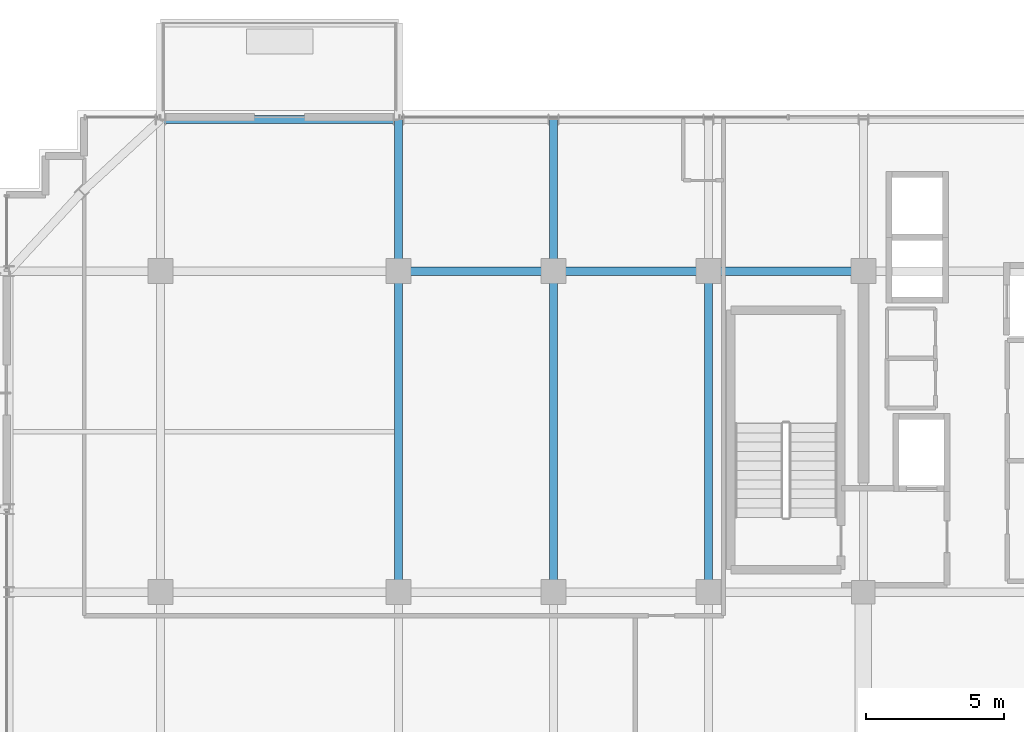
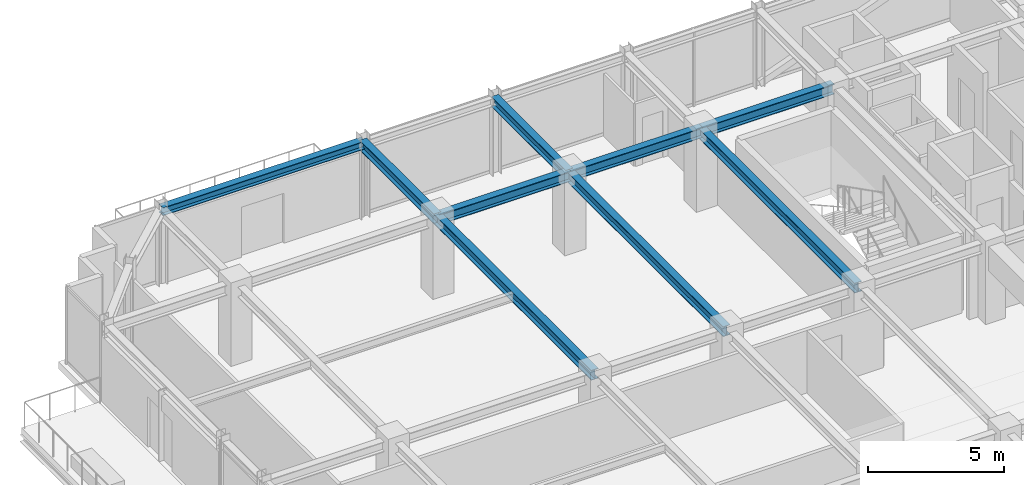
# One storey, part 20 of 34: 9 beams.
"""IFC4 building model written with IfcOpenShell, lengths in metres."""

from ifc_helpers import new_model, si_unit, direction, frame, origin, origin_2d, place, context, subcontext, project, spatial, i_section, extrude, source, transform, mapped, material, material_profile, profile_set, type_object, element, save


model = new_model("IFC4")

# Units and contexts
model_context = context("Model", 3, precision=1e-05, world=origin(), true_north=direction((0.0, 1.0)))
body_context = subcontext(model_context, "Body", "Model", "MODEL_VIEW")
ifc_project = project(units=[si_unit("LENGTHUNIT", "METRE"), si_unit("AREAUNIT", "SQUARE_METRE"), si_unit("VOLUMEUNIT", "CUBIC_METRE"), si_unit("PLANEANGLEUNIT", "RADIAN"), si_unit("MASSUNIT", "GRAM", prefix="KILO")], contexts=[model_context])

# Site, building, storey
site_placement = place(None, origin())
site = spatial("IfcSite", under=ifc_project, at=site_placement, CompositionType="ELEMENT")
building_placement = place(site_placement, origin())
building = spatial("IfcBuilding", under=site, at=building_placement, Name="Nahalor Promenade Grand Hotel", CompositionType="ELEMENT")
storey_placement = place(building_placement, frame((0.0, 0.0, 334.75)))
storey = spatial("IfcBuildingStorey", under=building, at=storey_placement, Name="L86", CompositionType="ELEMENT", Elevation=334.75)

# Beams
ifc_material = material(Name="Steel S355JR", Category="steel")
ifc_material_profile_1 = material_profile(ifc_material, i_section(OverallWidth=0.3, OverallDepth=0.45, WebThickness=0.014, FlangeThickness=0.026, at=origin_2d()), Name="HEB 450")
ifc_profile_set_1 = profile_set([ifc_material_profile_1], Name="Steel S355JR")
beam_type_1 = type_object("IfcBeamType", Name="Beam-Girder-HEB450", PredefinedType="BEAM", material=ifc_profile_set_1)
shared_shape_1 = source(origin(), body_context, "Body", "SweptSolid", [
    extrude(i_section(OverallWidth=0.3, OverallDepth=0.45, WebThickness=0.014, FlangeThickness=0.026, at=origin_2d()), origin(), (0.0, 0.0, 1.0), 5.599853515625),
])
for number, where, z_axis, x_axis, name in (
    (1, (-8.39990234375, 17.0, 3.2451171875), (1.0, 0.0, 0.0), (0.0, 1.0, 0.0), "BM-L86-GX-3-2"),
    (2, (2.800048828125, 17.0, 3.2451171875), (1.0, 0.0, 0.0), (0.0, 1.0, 0.0), "BM-L86-GX-3-4"),
):
    element("IfcBeam", number, at=place(storey_placement, frame(where, z_axis=z_axis, x_axis=x_axis)), inside=storey, type_object=beam_type_1, Name=name, PredefinedType="BEAM", context=body_context, shape_type="MappedRepresentation", body=[
        mapped(shared_shape_1, transform((0.0, 0.0, 0.0), scale=1.0)),
    ])
shared_shape_2 = source(origin(), body_context, "Body", "SweptSolid", [
    extrude(i_section(OverallWidth=0.3, OverallDepth=0.45, WebThickness=0.014, FlangeThickness=0.026, at=origin_2d()), origin(), (0.0, 0.0, 1.0), 5.60009765625),
])
beam_1_placement = place(storey_placement, frame((-2.800048828125, 17.0, 3.2451171875), z_axis=(1.0, 0.0, 0.0), x_axis=(0.0, 1.0, 0.0)))
element("IfcBeam", 3, at=beam_1_placement, inside=storey, type_object=beam_type_1, Name="BM-L86-GX-3-3", PredefinedType="BEAM", context=body_context, shape_type="MappedRepresentation", body=[
    mapped(shared_shape_2, transform((0.0, 0.0, 0.0), scale=1.0)),
])
shared_shape_3 = source(origin(), body_context, "Body", "SweptSolid", [
    extrude(i_section(OverallWidth=0.3, OverallDepth=0.45, WebThickness=0.014, FlangeThickness=0.026, at=origin_2d()), origin(), (0.0, 0.0, 1.0), 11.60009765625),
])
for number, where, z_axis, x_axis, name in (
    (4, (-8.39990234375, 5.39990234375, 3.2451171875), (0.0, 1.0, 0.0), (-1.0, 0.0, 0.0), "BM-L86-GY-1-3"),
    (5, (-2.800048828125, 5.39990234375, 3.2451171875), (0.0, 1.0, 0.0), (-1.0, 0.0, 0.0), "BM-L86-GY-2-3"),
    (6, (2.800048828125, 5.39990234375, 3.2451171875), (0.0, 1.0, 0.0), (-1.0, 0.0, 0.0), "BM-L86-GY-3-3"),
):
    element("IfcBeam", number, at=place(storey_placement, frame(where, z_axis=z_axis, x_axis=x_axis)), inside=storey, type_object=beam_type_1, Name=name, PredefinedType="BEAM", context=body_context, shape_type="MappedRepresentation", body=[
        mapped(shared_shape_3, transform((0.0, 0.0, 0.0), scale=1.0)),
    ])
shared_shape_4 = source(origin(), body_context, "Body", "SweptSolid", [
    extrude(i_section(OverallWidth=0.3, OverallDepth=0.45, WebThickness=0.014, FlangeThickness=0.026, at=origin_2d()), origin(), (0.0, 0.0, 1.0), 5.47998046875),
])
for number, where, z_axis, x_axis, name in (
    (7, (-8.39990234375, 17.0, 3.2451171875), (0.0, 1.0, 0.0), (-1.0, 0.0, 0.0), "BM-L86-GY-1-4"),
    (8, (-2.800048828125, 17.0, 3.2451171875), (0.0, 1.0, 0.0), (-1.0, 0.0, 0.0), "BM-L86-GY-2-4"),
):
    element("IfcBeam", number, at=place(storey_placement, frame(where, z_axis=z_axis, x_axis=x_axis)), inside=storey, type_object=beam_type_1, Name=name, PredefinedType="BEAM", context=body_context, shape_type="MappedRepresentation", body=[
        mapped(shared_shape_4, transform((0.0, 0.0, 0.0), scale=1.0)),
    ])
ifc_material_profile_2 = material_profile(ifc_material, i_section(OverallWidth=0.3, OverallDepth=0.36, WebThickness=0.0125, FlangeThickness=0.0225, at=origin_2d()), Name="HEB 360")
ifc_profile_set_2 = profile_set([ifc_material_profile_2], Name="Steel S355JR")
beam_type_2 = type_object("IfcBeamType", Name="Beam-Spandrel-HEB360", PredefinedType="SPANDREL", material=ifc_profile_set_2)
shared_shape_5 = source(origin(), body_context, "Body", "SweptSolid", [
    extrude(i_section(OverallWidth=0.3, OverallDepth=0.36, WebThickness=0.0125, FlangeThickness=0.0225, at=origin_2d()), origin(), (0.0, 0.0, 1.0), 8.60009765625),
])
beam_2_placement = place(storey_placement, frame((-17.0, 22.47998046875, 3.2900390625), z_axis=(1.0, 0.0, 0.0), x_axis=(0.0, 1.0, 0.0)))
element("IfcBeam", 9, at=beam_2_placement, inside=storey, type_object=beam_type_2, Name="BM-L86-SP-N-0", PredefinedType="SPANDREL", context=body_context, shape_type="MappedRepresentation", body=[
    mapped(shared_shape_5, transform((0.0, 0.0, 0.0), scale=1.0)),
])

save(model, "model.ifc")
